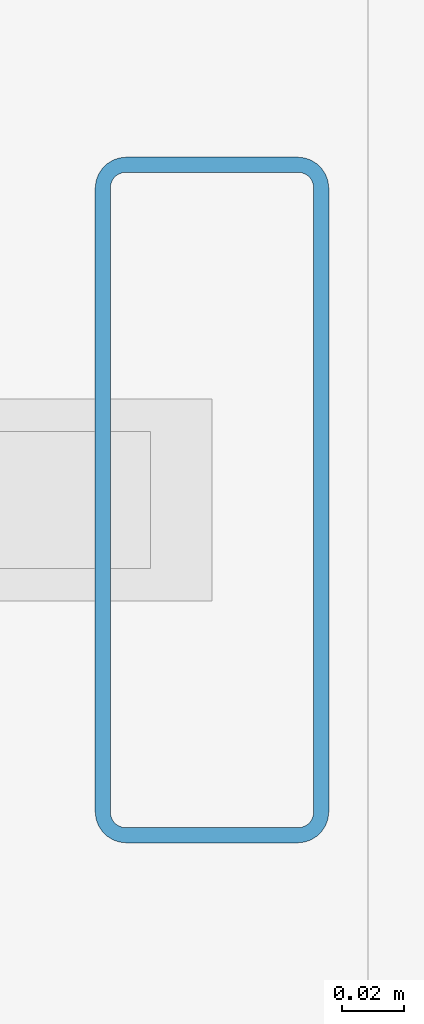
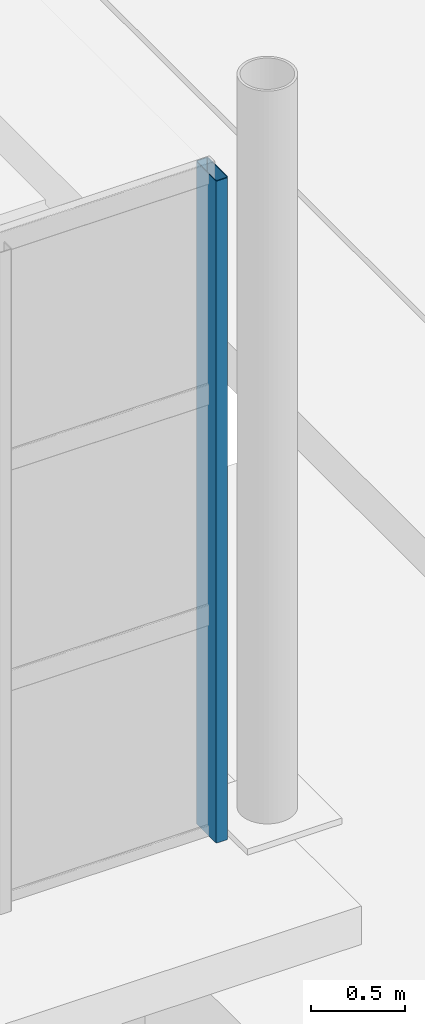
# One storey, part 34 of 101: 1 member, 1 element without a shape of its own.
"""IFC4 building model written with IfcOpenShell, lengths in metres."""

import ifcopenshell
import ifcopenshell.guid

model = None  # the IFC model being written
_history = None  # IfcOwnerHistory: only IFC2X3 demands one
_inside = {}  # id of a spatial element -> (the spatial element, [elements in it])
_under = {}  # id of a project, library or spatial element -> (it, [spatial elements below it])
_declared = {}  # id of a project -> (the project, [libraries it declares])
_typed = {}  # id of a type object -> (the type object, [elements of that type])
_made_of = {}  # id of a material, layer set ... -> (it, [elements and type objects made of it])


def new_model(schema):
    """Start an empty IFC model of exactly this schema.

    Asked for "IFC4X3", IfcOpenShell would pick the latest addendum, in which some entities
    have other attributes; the version numbers below select the first issue.
    IFC2X3 requires an IfcOwnerHistory on every rooted entity: one is made here for all.
    """
    global model, _history
    if schema == "IFC4X3":
        model = ifcopenshell.file(schema_version=(4, 3, 0, 0))
    else:
        model = ifcopenshell.file(schema=schema)
    _inside.clear()
    _under.clear()
    _declared.clear()
    _typed.clear()
    _made_of.clear()
    _history = None
    if model.schema == "IFC2X3":
        org = make("IfcOrganization", Name="unknown")
        user = make(
            "IfcPersonAndOrganization",
            ThePerson=make("IfcPerson", FamilyName="unknown"),
            TheOrganization=org,
        )
        app = make(
            "IfcApplication",
            ApplicationDeveloper=org,
            Version="unknown",
            ApplicationFullName="unknown",
            ApplicationIdentifier="unknown",
        )
        _history = make(
            "IfcOwnerHistory",
            OwningUser=user,
            OwningApplication=app,
            ChangeAction="ADDED",
            CreationDate=0,
        )
    return model


def make(cls, **values):
    """One entity of the class cls with the attributes given. An attribute that is None is left unset."""
    return model.create_entity(
        cls, **{name: value for name, value in values.items() if value is not None}
    )


def rooted(cls, **values):
    """An entity with a GlobalId (a new one), such as an element, a storey or a relation."""
    return make(cls, GlobalId=ifcopenshell.guid.new(), OwnerHistory=_history, **values)


def si_unit(unit_type, name, prefix=None):
    """IfcSIUnit, for example si_unit("LENGTHUNIT", "METRE", prefix="MILLI")."""
    return make("IfcSIUnit", UnitType=unit_type, Prefix=prefix, Name=name)


def derived_unit(unit_type, elements):
    """IfcDerivedUnit: a product of units, each with its exponent."""
    return make(
        "IfcDerivedUnit",
        Elements=[
            make("IfcDerivedUnitElement", Unit=unit, Exponent=power)
            for unit, power in elements
        ],
        UnitType=unit_type,
    )


def assignment(units):
    """IfcUnitAssignment: the units of a project."""
    return None if units is None else make("IfcUnitAssignment", Units=units)


def point(xyz):
    """IfcCartesianPoint."""
    return None if xyz is None else make("IfcCartesianPoint", Coordinates=xyz)


def direction(xyz):
    """IfcDirection."""
    return None if xyz is None else make("IfcDirection", DirectionRatios=xyz)


def frame(location, z_axis=None, x_axis=None):
    """IfcAxis2Placement3D, a coordinate frame: its origin and axes. An axis left out is left unset."""
    return make(
        "IfcAxis2Placement3D",
        Location=point(location),
        Axis=direction(z_axis),
        RefDirection=direction(x_axis),
    )


def frame_2d(location, x_axis=None):
    """IfcAxis2Placement2D, a coordinate frame in the plane: its origin and x axis."""
    return make(
        "IfcAxis2Placement2D", Location=point(location), RefDirection=direction(x_axis)
    )


def origin():
    """The frame at (0, 0, 0) with its axes left unset."""
    return frame((0.0, 0.0, 0.0))


def origin_2d():
    """The frame at (0, 0) in the plane with its x axis left unset."""
    return frame_2d((0.0, 0.0))


def place(relative_to, where):
    """IfcLocalPlacement: puts the frame where relative to a parent placement (None: the world)."""
    return make(
        "IfcLocalPlacement", PlacementRelTo=relative_to, RelativePlacement=where
    )


def context(
    kind, dimensions, precision=None, world=None, true_north=None, identifier=None
):
    """IfcGeometricRepresentationContext, for example the 3D "Model" context."""
    return make(
        "IfcGeometricRepresentationContext",
        ContextIdentifier=identifier,
        ContextType=kind,
        CoordinateSpaceDimension=dimensions,
        Precision=precision,
        WorldCoordinateSystem=world,
        TrueNorth=true_north,
    )


def subcontext(parent, identifier, kind, view, scale=None):
    """IfcGeometricRepresentationSubContext, for example "Body" below "Model"."""
    return make(
        "IfcGeometricRepresentationSubContext",
        ContextIdentifier=identifier,
        ContextType=kind,
        ParentContext=parent,
        TargetScale=scale,
        TargetView=view,
    )


def project(units=None, contexts=None):
    """IfcProject with its units and contexts."""
    return rooted(
        "IfcProject",
        Name="project",
        RepresentationContexts=contexts,
        UnitsInContext=assignment(units),
    )


def spatial(cls, under=None, at=None, **own):
    """A site, building, storey or space (cls), placed at a placement, below another one or the project."""
    s = rooted(cls, ObjectPlacement=at, **own)
    if under is not None:
        _under.setdefault(under.id(), (under, []))[1].append(s)
    return s


def profile(cls, at=None, kind="AREA", **sizes):
    """A parametric profile (cls). Its sizes go by their IFC names, for example OverallWidth=200.0."""
    return make(cls, ProfileType=kind, Position=at, **sizes)


def hollow_rectangle(**sizes):
    """IfcRectangleHollowProfileDef."""
    return profile("IfcRectangleHollowProfileDef", **sizes)


def extrude(swept, where, along, depth):
    """IfcExtrudedAreaSolid: the profile swept, set in the frame where, extruded along a direction by depth."""
    return make(
        "IfcExtrudedAreaSolid",
        SweptArea=swept,
        Position=where,
        ExtrudedDirection=direction(along),
        Depth=depth,
    )


def shape(context_of_items, identifier, shape_type, items):
    """IfcShapeRepresentation: the items that make up one representation, for example the "Body"."""
    return make(
        "IfcShapeRepresentation",
        ContextOfItems=context_of_items,
        RepresentationIdentifier=identifier,
        RepresentationType=shape_type,
        Items=items,
    )


def material(Name=None, Category=None):
    """IfcMaterial."""
    return make("IfcMaterial", Name=Name, Category=Category)


def material_profile(
    of_material, cross_section, Name=None, Category=None, Priority=None
):
    """IfcMaterialProfile: a cross section and its material."""
    return make(
        "IfcMaterialProfile",
        Name=Name,
        Material=of_material,
        Profile=cross_section,
        Priority=Priority,
        Category=Category,
    )


def profile_set(profiles, Name=None, composite=None):
    """IfcMaterialProfileSet."""
    return make(
        "IfcMaterialProfileSet",
        Name=Name,
        MaterialProfiles=profiles,
        CompositeProfile=composite,
    )


def made_of(thing, what):
    """Note that an element or type object is made of a material, layer set ...; save() writes the relation."""
    if what is not None:
        _made_of.setdefault(what.id(), (what, []))[1].append(thing)
    return thing


def type_object(cls, material=None, **own):
    """A type object (cls), such as IfcWallType, which elements share."""
    return made_of(rooted(cls, **own), material)


def element(
    cls,
    number,
    at=None,
    inside=None,
    cuts=None,
    type_object=None,
    material=None,
    context=None,
    identifier="Body",
    shape_type=None,
    held_by="IfcProductDefinitionShape",
    body=None,
    shapes=None,
    **own,
):
    """One element of the class cls, such as IfcWall. Its Tag is "e" and its number.

    at: its placement. inside: the storey or other place that contains it. cuts: it is an
    opening in that element (IfcRelVoidsElement). A single representation is given by context,
    identifier, shape_type and body (its items); several are given by shapes. held_by: the class
    of the entity that holds the representations. save() writes the other relations.
    """
    e = rooted(cls, Tag="e%d" % number, ObjectPlacement=at, **own)
    if body is not None:
        shapes = [shape(context, identifier, shape_type, body)]
    if shapes is not None:
        e.Representation = make(held_by, Representations=shapes)
    if inside is not None:
        _inside.setdefault(inside.id(), (inside, []))[1].append(e)
    if cuts is not None:
        rooted(
            "IfcRelVoidsElement", RelatingBuildingElement=cuts, RelatedOpeningElement=e
        )
    if type_object is not None:
        _typed.setdefault(type_object.id(), (type_object, []))[1].append(e)
    return made_of(e, material)


def aggregate(whole, parts):
    """IfcRelAggregates: a whole, such as a stair, and the parts it consists of."""
    return rooted("IfcRelAggregates", RelatingObject=whole, RelatedObjects=parts)


def save(model, path):
    """Write the relations noted so far, then the file.

    IfcRelAggregates (storeys below a building ...), IfcRelContainedInSpatialStructure (elements
    in a storey), IfcRelDefinesByType, IfcRelAssociatesMaterial and IfcRelDeclares: one each for
    every whole, place, type object, material and project.
    """
    for whole, parts in _under.values():
        aggregate(whole, parts)
    for where, things in _inside.values():
        rooted(
            "IfcRelContainedInSpatialStructure",
            RelatedElements=things,
            RelatingStructure=where,
        )
    for kind, things in _typed.values():
        rooted("IfcRelDefinesByType", RelatedObjects=things, RelatingType=kind)
    for what, things in _made_of.values():
        rooted("IfcRelAssociatesMaterial", RelatedObjects=things, RelatingMaterial=what)
    for by, libraries in _declared.values():
        rooted("IfcRelDeclares", RelatingContext=by, RelatedDefinitions=libraries)
    model.write(path)


model = new_model("IFC4")

# Units and contexts
model_context = context("Model", 3, precision=1e-05, world=origin(), true_north=direction((0.0, 1.0)))
body_context = subcontext(model_context, "Body", "Model", "MODEL_VIEW")
ifc_project = project(units=[si_unit("LENGTHUNIT", "METRE"), si_unit("AREAUNIT", "SQUARE_METRE"), si_unit("VOLUMEUNIT", "CUBIC_METRE"), si_unit("PLANEANGLEUNIT", "RADIAN"), si_unit("MASSUNIT", "GRAM", prefix="KILO"), derived_unit("THERMALTRANSMITTANCEUNIT", [(si_unit("POWERUNIT", "WATT"), 1), (si_unit("LENGTHUNIT", "METRE"), -2), (si_unit("THERMODYNAMICTEMPERATUREUNIT", "KELVIN"), -1)])], contexts=[model_context])

# Site, building, storey
site_placement = place(None, origin())
site = spatial("IfcSite", under=ifc_project, at=site_placement, CompositionType="ELEMENT")
building_placement = place(site_placement, origin())
building = spatial("IfcBuilding", under=site, at=building_placement, Name="Keldorne Ridge Multi-Sports Centre", CompositionType="ELEMENT")
storey_placement = place(building_placement, origin())
storey = spatial("IfcBuildingStorey", under=building, at=storey_placement, Name="L00", CompositionType="ELEMENT", Elevation=0.0)

# Curtain wall, member
ifc_material = material(Name="Anodized aluminium", Category="aluminium")
curtain_wall_type = type_object("IfcCurtainWallType", Name="CW-CW-04", PredefinedType="NOTDEFINED", material=ifc_material)
curtain_wall_placement = place(storey_placement, origin())
curtain_wall = element("IfcCurtainWall", 1, at=curtain_wall_placement, inside=storey, type_object=curtain_wall_type, Name="Public Passage S foyer glazing 076", PredefinedType="NOTDEFINED")
ifc_material_profile = material_profile(ifc_material, hollow_rectangle(XDim=0.074951171875, YDim=0.219970703125, WallThickness=0.0048828125, InnerFilletRadius=0.0048828125, OuterFilletRadius=0.010009765625, at=origin_2d()), Name="ALU MULLION 220x75x5")
ifc_profile_set = profile_set([ifc_material_profile], Name="Anodized aluminium")
member_type = type_object("IfcMemberType", Name="MEM-ML-02", PredefinedType="MULLION", material=ifc_profile_set)
member_placement = place(storey_placement, frame((101.659912109375, 6.0, 0.0), z_axis=(0.0, 0.0, 1.0), x_axis=(1.0, 0.0, 0.0)))
member = element("IfcMember", 2, at=member_placement, type_object=member_type, Name="CW-076 vertical mullion 5", PredefinedType="MULLION", context=body_context, shape_type="SweptSolid", body=[
    extrude(hollow_rectangle(XDim=0.074951171875, YDim=0.219970703125, WallThickness=0.0048828125, InnerFilletRadius=0.0048828125, OuterFilletRadius=0.010009765625, at=origin_2d()), origin(), (0.0, 0.0, 1.0), 4.300048828125),
])
aggregate(curtain_wall, [member])

save(model, "model.ifc")
